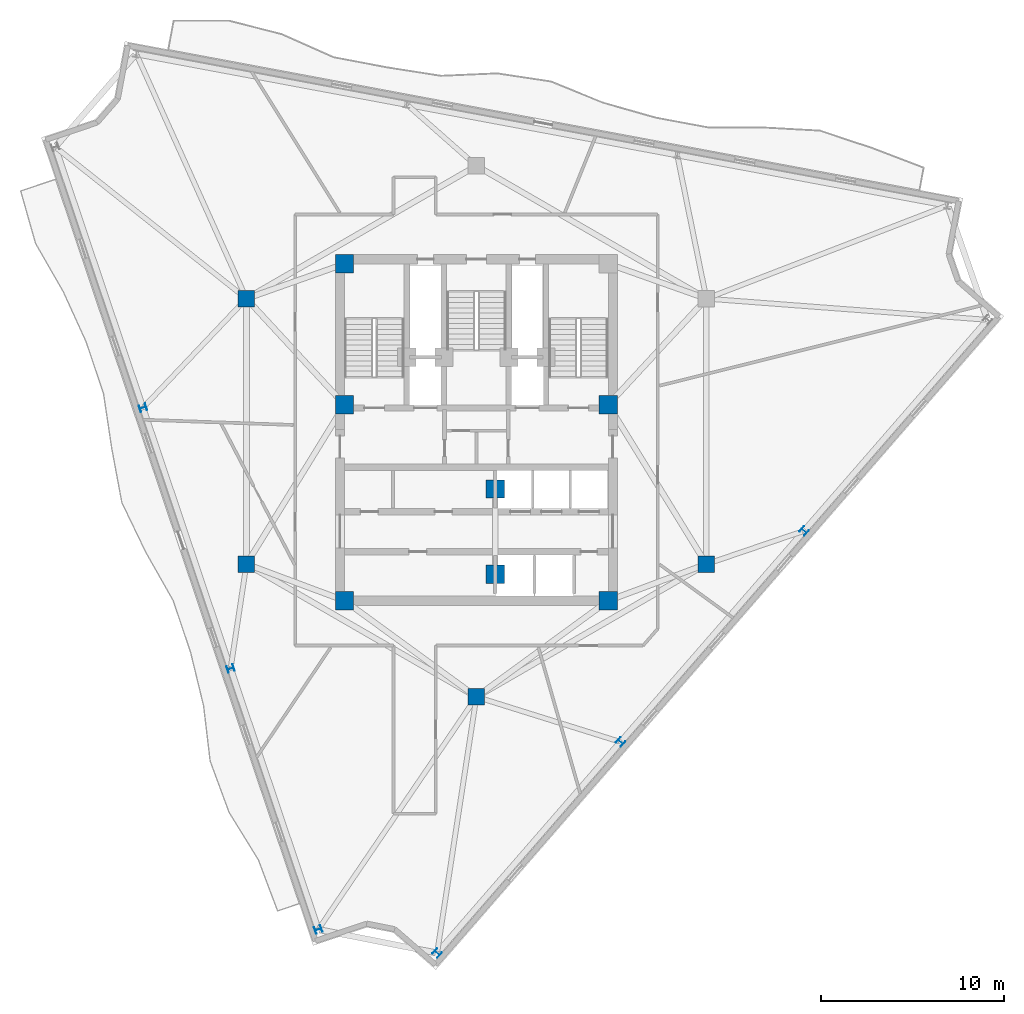
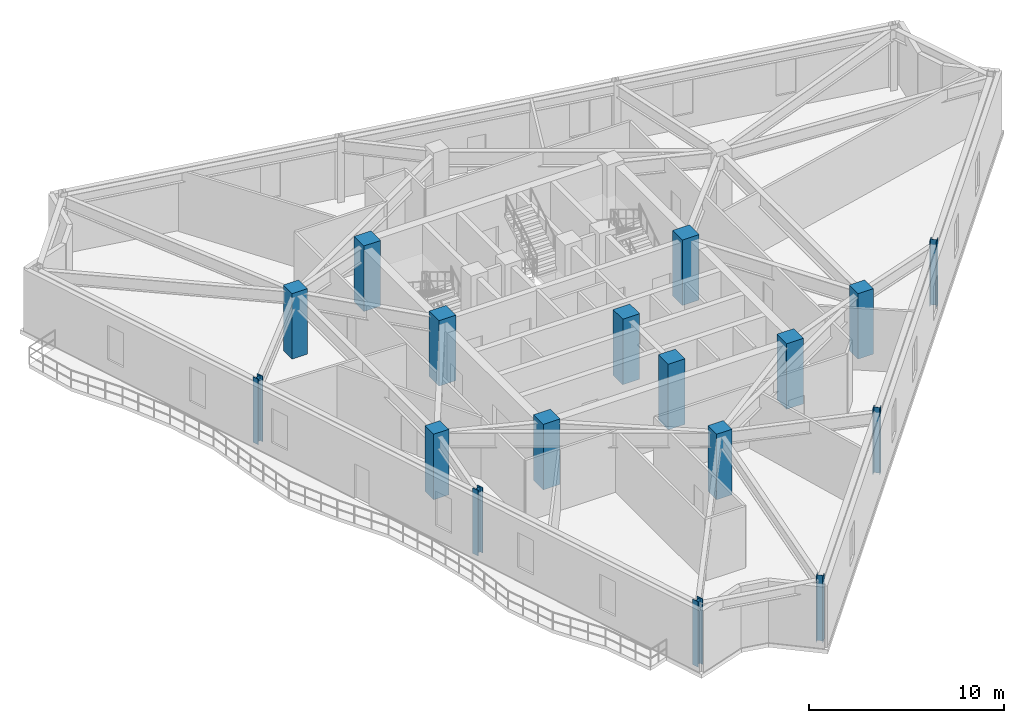
# One storey, part 1 of 9: 17 columns.
"""IFC4 building model written with IfcOpenShell, lengths in metres."""

from ifc_helpers import new_model, si_unit, direction, frame, origin, origin_2d, place, context, subcontext, project, spatial, rectangle, i_section, extrude, material, material_profile, profile_set, type_object, element, save


model = new_model("IFC4")

# Units and contexts
model_context = context("Model", 3, precision=1e-05, world=origin(), true_north=direction((0.0, 1.0)))
body_context = subcontext(model_context, "Body", "Model", "MODEL_VIEW")
ifc_project = project(units=[si_unit("LENGTHUNIT", "METRE"), si_unit("AREAUNIT", "SQUARE_METRE"), si_unit("VOLUMEUNIT", "CUBIC_METRE"), si_unit("PLANEANGLEUNIT", "RADIAN"), si_unit("MASSUNIT", "GRAM", prefix="KILO")], contexts=[model_context])

# Site, building, storey
site_placement = place(None, origin())
site = spatial("IfcSite", under=ifc_project, at=site_placement, CompositionType="ELEMENT")
building_placement = place(site_placement, origin())
building = spatial("IfcBuilding", under=site, at=building_placement, Name="Apsidion Concourse Tower", CompositionType="ELEMENT")
storey_placement = place(building_placement, frame((0.0, 0.0, 277.800048828125)))
storey = spatial("IfcBuildingStorey", under=building, at=storey_placement, Name="L65", CompositionType="ELEMENT", Elevation=277.800048828125)

# Columns
ifc_material_1 = material(Name="Concrete C50/60", Category="concrete")
ifc_material_profile_1 = material_profile(ifc_material_1, rectangle(XDim=1.0, YDim=1.0, at=origin_2d()), Name="RC 1000x1000")
ifc_profile_set_1 = profile_set([ifc_material_profile_1], Name="Concrete C50/60")
column_type_1 = type_object("IfcColumnType", Name="COL-RC-1000", PredefinedType="COLUMN", material=ifc_profile_set_1)
for number, where, z_axis, x_axis, name in (
    (1, (-7.199951171875, -9.25, 0.0), (0.0, 0.0, 1.0), (1.0, 0.0, 0.0), "L65 Core Super-Column SC1"),
    (2, (7.199951171875, -9.25, 0.0), (0.0, 0.0, 1.0), (1.0, 0.0, 0.0), "L65 Core Super-Column SC2"),
    (3, (7.199951171875, 1.449951171875, 0.0), (0.0, 0.0, 1.0), (1.0, 0.0, 0.0), "L65 Core Super-Column SC3"),
    (4, (-7.199951171875, 9.14990234375, 0.0), (0.0, 0.0, 1.0), (1.0, 0.0, 0.0), "L65 Core Super-Column SC5"),
    (5, (-7.199951171875, 1.449951171875, 0.0), (0.0, 0.0, 1.0), (1.0, 0.0, 0.0), "L65 Core Super-Column SC6"),
    (6, (1.02490234375, -3.14990234375, 0.0), (0.0, 0.0, 1.0), (1.0, 0.0, 0.0), "L65 Core Super-Column CC5"),
    (7, (1.02490234375, -7.800048828125, 0.0), (0.0, 0.0, 1.0), (1.0, 0.0, 0.0), "L65 Core Super-Column CC6"),
):
    element("IfcColumn", number, at=place(storey_placement, frame(where, z_axis=z_axis, x_axis=x_axis)), inside=storey, type_object=column_type_1, Name=name, PredefinedType="COLUMN", context=body_context, shape_type="SweptSolid", body=[
        extrude(rectangle(XDim=1.0, YDim=1.0, at=origin_2d()), origin(), (0.0, 0.0, 1.0), 4.099853515625),
    ])
ifc_material_profile_2 = material_profile(ifc_material_1, rectangle(XDim=0.89990234375, YDim=0.89990234375, at=origin_2d()), Name="RC 900x900")
ifc_profile_set_2 = profile_set([ifc_material_profile_2], Name="Concrete C50/60")
column_type_2 = type_object("IfcColumnType", Name="COL-RC-900", PredefinedType="COLUMN", material=ifc_profile_set_2)
for number, where, z_axis, x_axis, name in (
    (8, (-12.56005859375, -7.25, 0.0), (0.0, 0.0, 1.0), (1.0, 0.0, 0.0), "L65 Interior Spine Column IC1"),
    (9, (12.56005859375, -7.25, 0.0), (0.0, 0.0, 1.0), (1.0, 0.0, 0.0), "L65 Interior Spine Column IC2"),
    (10, (-12.56005859375, 7.25, 0.0), (0.0, 0.0, 1.0), (1.0, 0.0, 0.0), "L65 Interior Spine Column IC5"),
    (11, (0.0, -14.5, 0.0), (0.0, 0.0, 1.0), (1.0, 0.0, 0.0), "L65 Interior Spine Column IC6"),
):
    element("IfcColumn", number, at=place(storey_placement, frame(where, z_axis=z_axis, x_axis=x_axis)), inside=storey, type_object=column_type_2, Name=name, PredefinedType="COLUMN", context=body_context, shape_type="SweptSolid", body=[
        extrude(rectangle(XDim=0.89990234375, YDim=0.89990234375, at=origin_2d()), origin(), (0.0, 0.0, 1.0), 4.099853515625),
    ])
ifc_material_2 = material(Name="Structural steel ASTM A992 Grade 50", Category="steel")
ifc_material_profile_3 = material_profile(ifc_material_2, i_section(OverallWidth=0.373046875, OverallDepth=0.373046875, WebThickness=0.016357421875, FlangeThickness=0.026123046875, at=origin_2d()), Name="W14X132")
ifc_profile_set_3 = profile_set([ifc_material_profile_3], Name="Structural steel ASTM A992 Grade 50")
column_type_3 = type_object("IfcColumnType", Name="COL-W14-132", PredefinedType="COLUMN", material=ifc_profile_set_3)
for number, where, z_axis, x_axis, name in (
    (12, (-18.215087890625, 1.285888671875, 0.0), (0.0, 0.0, 1.0), (-0.318628456287, 0.947879690069, 0.0), "L65 Rotated Perimeter Column PC02"),
    (13, (-13.42578125, -12.959228515625, 0.0), (0.0, 0.0, 1.0), (-0.318628456287, 0.947879690069, 0.0), "L65 Rotated Perimeter Column PC03"),
    (14, (-8.636474609375, -27.20458984375, 0.0), (0.0, 0.0, 1.0), (-0.318628456287, 0.947879690069, 0.0), "L65 Rotated Perimeter Column PC04"),
    (15, (-2.146728515625, -28.490478515625, 0.0), (0.0, 0.0, 1.0), (0.656059028991, 0.754709580223, 0.0), "L65 Rotated Perimeter Column PC05"),
    (16, (7.87353515625, -16.96337890625, 0.0), (0.0, 0.0, 1.0), (0.656059028991, 0.754709580223, 0.0), "L65 Rotated Perimeter Column PC06"),
    (17, (17.89404296875, -5.436279296875, 0.0), (0.0, 0.0, 1.0), (0.656059028991, 0.754709580223, 0.0), "L65 Rotated Perimeter Column PC07"),
):
    element("IfcColumn", number, at=place(storey_placement, frame(where, z_axis=z_axis, x_axis=x_axis)), inside=storey, type_object=column_type_3, Name=name, PredefinedType="COLUMN", context=body_context, shape_type="SweptSolid", body=[
        extrude(i_section(OverallWidth=0.373046875, OverallDepth=0.373046875, WebThickness=0.016357421875, FlangeThickness=0.026123046875, at=origin_2d()), origin(), (0.0, 0.0, 1.0), 4.099853515625),
    ])

save(model, "model.ifc")
